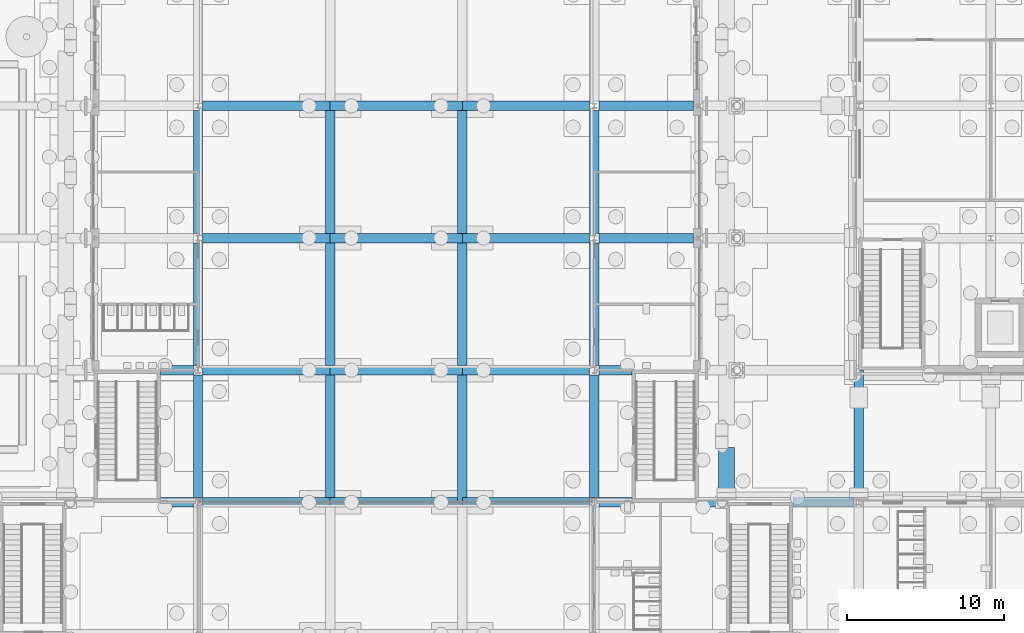
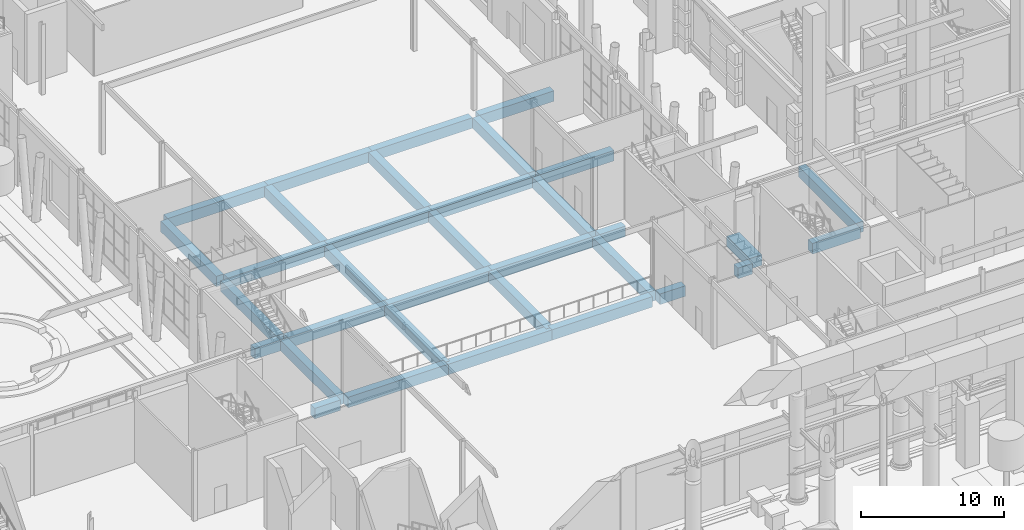
# One storey, part 50 of 222: 34 beams.
"""IFC4 building model written with IfcOpenShell, lengths in metres."""

import ifcopenshell
import ifcopenshell.guid

model = None  # the IFC model being written
_history = None  # IfcOwnerHistory: only IFC2X3 demands one
_inside = {}  # id of a spatial element -> (the spatial element, [elements in it])
_under = {}  # id of a project, library or spatial element -> (it, [spatial elements below it])
_declared = {}  # id of a project -> (the project, [libraries it declares])
_typed = {}  # id of a type object -> (the type object, [elements of that type])
_made_of = {}  # id of a material, layer set ... -> (it, [elements and type objects made of it])


def new_model(schema):
    """Start an empty IFC model of exactly this schema.

    Asked for "IFC4X3", IfcOpenShell would pick the latest addendum, in which some entities
    have other attributes; the version numbers below select the first issue.
    IFC2X3 requires an IfcOwnerHistory on every rooted entity: one is made here for all.
    """
    global model, _history
    if schema == "IFC4X3":
        model = ifcopenshell.file(schema_version=(4, 3, 0, 0))
    else:
        model = ifcopenshell.file(schema=schema)
    _inside.clear()
    _under.clear()
    _declared.clear()
    _typed.clear()
    _made_of.clear()
    _history = None
    if model.schema == "IFC2X3":
        org = make("IfcOrganization", Name="unknown")
        user = make(
            "IfcPersonAndOrganization",
            ThePerson=make("IfcPerson", FamilyName="unknown"),
            TheOrganization=org,
        )
        app = make(
            "IfcApplication",
            ApplicationDeveloper=org,
            Version="unknown",
            ApplicationFullName="unknown",
            ApplicationIdentifier="unknown",
        )
        _history = make(
            "IfcOwnerHistory",
            OwningUser=user,
            OwningApplication=app,
            ChangeAction="ADDED",
            CreationDate=0,
        )
    return model


def make(cls, **values):
    """One entity of the class cls with the attributes given. An attribute that is None is left unset."""
    return model.create_entity(
        cls, **{name: value for name, value in values.items() if value is not None}
    )


def rooted(cls, **values):
    """An entity with a GlobalId (a new one), such as an element, a storey or a relation."""
    return make(cls, GlobalId=ifcopenshell.guid.new(), OwnerHistory=_history, **values)


def si_unit(unit_type, name, prefix=None):
    """IfcSIUnit, for example si_unit("LENGTHUNIT", "METRE", prefix="MILLI")."""
    return make("IfcSIUnit", UnitType=unit_type, Prefix=prefix, Name=name)


def assignment(units):
    """IfcUnitAssignment: the units of a project."""
    return None if units is None else make("IfcUnitAssignment", Units=units)


def point(xyz):
    """IfcCartesianPoint."""
    return None if xyz is None else make("IfcCartesianPoint", Coordinates=xyz)


def direction(xyz):
    """IfcDirection."""
    return None if xyz is None else make("IfcDirection", DirectionRatios=xyz)


def frame(location, z_axis=None, x_axis=None):
    """IfcAxis2Placement3D, a coordinate frame: its origin and axes. An axis left out is left unset."""
    return make(
        "IfcAxis2Placement3D",
        Location=point(location),
        Axis=direction(z_axis),
        RefDirection=direction(x_axis),
    )


def frame_2d(location, x_axis=None):
    """IfcAxis2Placement2D, a coordinate frame in the plane: its origin and x axis."""
    return make(
        "IfcAxis2Placement2D", Location=point(location), RefDirection=direction(x_axis)
    )


def origin():
    """The frame at (0, 0, 0) with its axes left unset."""
    return frame((0.0, 0.0, 0.0))


def origin_2d():
    """The frame at (0, 0) in the plane with its x axis left unset."""
    return frame_2d((0.0, 0.0))


def place(relative_to, where):
    """IfcLocalPlacement: puts the frame where relative to a parent placement (None: the world)."""
    return make(
        "IfcLocalPlacement", PlacementRelTo=relative_to, RelativePlacement=where
    )


def context(
    kind, dimensions, precision=None, world=None, true_north=None, identifier=None
):
    """IfcGeometricRepresentationContext, for example the 3D "Model" context."""
    return make(
        "IfcGeometricRepresentationContext",
        ContextIdentifier=identifier,
        ContextType=kind,
        CoordinateSpaceDimension=dimensions,
        Precision=precision,
        WorldCoordinateSystem=world,
        TrueNorth=true_north,
    )


def subcontext(parent, identifier, kind, view, scale=None):
    """IfcGeometricRepresentationSubContext, for example "Body" below "Model"."""
    return make(
        "IfcGeometricRepresentationSubContext",
        ContextIdentifier=identifier,
        ContextType=kind,
        ParentContext=parent,
        TargetScale=scale,
        TargetView=view,
    )


def project(units=None, contexts=None):
    """IfcProject with its units and contexts."""
    return rooted(
        "IfcProject",
        Name="project",
        RepresentationContexts=contexts,
        UnitsInContext=assignment(units),
    )


def spatial(cls, under=None, at=None, **own):
    """A site, building, storey or space (cls), placed at a placement, below another one or the project."""
    s = rooted(cls, ObjectPlacement=at, **own)
    if under is not None:
        _under.setdefault(under.id(), (under, []))[1].append(s)
    return s


def profile(cls, at=None, kind="AREA", **sizes):
    """A parametric profile (cls). Its sizes go by their IFC names, for example OverallWidth=200.0."""
    return make(cls, ProfileType=kind, Position=at, **sizes)


def rectangle(**sizes):
    """IfcRectangleProfileDef."""
    return profile("IfcRectangleProfileDef", **sizes)


def extrude(swept, where, along, depth):
    """IfcExtrudedAreaSolid: the profile swept, set in the frame where, extruded along a direction by depth."""
    return make(
        "IfcExtrudedAreaSolid",
        SweptArea=swept,
        Position=where,
        ExtrudedDirection=direction(along),
        Depth=depth,
    )


def shape(context_of_items, identifier, shape_type, items):
    """IfcShapeRepresentation: the items that make up one representation, for example the "Body"."""
    return make(
        "IfcShapeRepresentation",
        ContextOfItems=context_of_items,
        RepresentationIdentifier=identifier,
        RepresentationType=shape_type,
        Items=items,
    )


def material(Name=None, Category=None):
    """IfcMaterial."""
    return make("IfcMaterial", Name=Name, Category=Category)


def material_profile(
    of_material, cross_section, Name=None, Category=None, Priority=None
):
    """IfcMaterialProfile: a cross section and its material."""
    return make(
        "IfcMaterialProfile",
        Name=Name,
        Material=of_material,
        Profile=cross_section,
        Priority=Priority,
        Category=Category,
    )


def profile_set(profiles, Name=None, composite=None):
    """IfcMaterialProfileSet."""
    return make(
        "IfcMaterialProfileSet",
        Name=Name,
        MaterialProfiles=profiles,
        CompositeProfile=composite,
    )


def made_of(thing, what):
    """Note that an element or type object is made of a material, layer set ...; save() writes the relation."""
    if what is not None:
        _made_of.setdefault(what.id(), (what, []))[1].append(thing)
    return thing


def type_object(cls, material=None, **own):
    """A type object (cls), such as IfcWallType, which elements share."""
    return made_of(rooted(cls, **own), material)


def element(
    cls,
    number,
    at=None,
    inside=None,
    cuts=None,
    type_object=None,
    material=None,
    context=None,
    identifier="Body",
    shape_type=None,
    held_by="IfcProductDefinitionShape",
    body=None,
    shapes=None,
    **own,
):
    """One element of the class cls, such as IfcWall. Its Tag is "e" and its number.

    at: its placement. inside: the storey or other place that contains it. cuts: it is an
    opening in that element (IfcRelVoidsElement). A single representation is given by context,
    identifier, shape_type and body (its items); several are given by shapes. held_by: the class
    of the entity that holds the representations. save() writes the other relations.
    """
    e = rooted(cls, Tag="e%d" % number, ObjectPlacement=at, **own)
    if body is not None:
        shapes = [shape(context, identifier, shape_type, body)]
    if shapes is not None:
        e.Representation = make(held_by, Representations=shapes)
    if inside is not None:
        _inside.setdefault(inside.id(), (inside, []))[1].append(e)
    if cuts is not None:
        rooted(
            "IfcRelVoidsElement", RelatingBuildingElement=cuts, RelatedOpeningElement=e
        )
    if type_object is not None:
        _typed.setdefault(type_object.id(), (type_object, []))[1].append(e)
    return made_of(e, material)


def aggregate(whole, parts):
    """IfcRelAggregates: a whole, such as a stair, and the parts it consists of."""
    return rooted("IfcRelAggregates", RelatingObject=whole, RelatedObjects=parts)


def save(model, path):
    """Write the relations noted so far, then the file.

    IfcRelAggregates (storeys below a building ...), IfcRelContainedInSpatialStructure (elements
    in a storey), IfcRelDefinesByType, IfcRelAssociatesMaterial and IfcRelDeclares: one each for
    every whole, place, type object, material and project.
    """
    for whole, parts in _under.values():
        aggregate(whole, parts)
    for where, things in _inside.values():
        rooted(
            "IfcRelContainedInSpatialStructure",
            RelatedElements=things,
            RelatingStructure=where,
        )
    for kind, things in _typed.values():
        rooted("IfcRelDefinesByType", RelatedObjects=things, RelatingType=kind)
    for what, things in _made_of.values():
        rooted("IfcRelAssociatesMaterial", RelatedObjects=things, RelatingMaterial=what)
    for by, libraries in _declared.values():
        rooted("IfcRelDeclares", RelatingContext=by, RelatedDefinitions=libraries)
    model.write(path)


model = new_model("IFC4")

# Units and contexts
model_context = context("Model", 3, precision=1e-05, world=origin(), true_north=direction((0.0, 1.0)))
body_context = subcontext(model_context, "Body", "Model", "MODEL_VIEW")
ifc_project = project(units=[si_unit("LENGTHUNIT", "METRE"), si_unit("AREAUNIT", "SQUARE_METRE"), si_unit("VOLUMEUNIT", "CUBIC_METRE"), si_unit("PLANEANGLEUNIT", "RADIAN"), si_unit("MASSUNIT", "GRAM", prefix="KILO")], contexts=[model_context])

# Site, building, storey
site_placement = place(None, origin())
site = spatial("IfcSite", under=ifc_project, at=site_placement, CompositionType="ELEMENT")
building_placement = place(site_placement, origin())
building = spatial("IfcBuilding", under=site, at=building_placement, Name="Sava Quay Ferry Terminal", CompositionType="ELEMENT")
storey_placement = place(building_placement, origin())
storey = spatial("IfcBuildingStorey", under=building, at=storey_placement, Name="L00", CompositionType="ELEMENT", Elevation=0.0)

# Beams
ifc_material_1 = material(Name="Concrete C40/50", Category="concrete")
ifc_material_profile_1 = material_profile(ifc_material_1, rectangle(XDim=1.0, YDim=0.89990234375, at=origin_2d()), Name="RC 1000x900")
ifc_profile_set_1 = profile_set([ifc_material_profile_1], Name="Concrete C40/50")
beam_type_1 = type_object("IfcBeamType", Name="RC deck beam 1000x900", PredefinedType="BEAM", material=ifc_profile_set_1)
beam_1_placement = place(storey_placement, frame((84.0, 50.699951171875, -0.89990234375), z_axis=(0.0, 1.0, 0.0), x_axis=(-1.0, 0.0, 0.0)))
element("IfcBeam", 1, at=beam_1_placement, inside=storey, type_object=beam_type_1, Name="Deck beam Y84-50.4", PredefinedType="BEAM", context=body_context, shape_type="SweptSolid", body=[
    extrude(rectangle(XDim=1.0, YDim=0.89990234375, at=origin_2d()), origin(), (0.0, 0.0, 1.0), 3.199951171875),
])
ifc_material_2 = material(Name="Concrete C40/50", Category="concrete")
ifc_material_profile_2 = material_profile(ifc_material_2, rectangle(XDim=0.60009765625, YDim=0.89990234375, at=origin_2d()), Name="RC 600x900")
ifc_profile_set_2 = profile_set([ifc_material_profile_2], Name="Concrete C40/50")
beam_type_2 = type_object("IfcBeamType", Name="RC deck beam 600x900", PredefinedType="BEAM", material=ifc_profile_set_2)
beam_2_placement = place(storey_placement, frame((48.02001953125, 50.39990234375, -0.89990234375), z_axis=(1.0, 0.0, 0.0), x_axis=(0.0, 1.0, 0.0)))
element("IfcBeam", 2, at=beam_2_placement, inside=storey, type_object=beam_type_2, Name="Deck beam X50.4-42", PredefinedType="BEAM", context=body_context, shape_type="SweptSolid", body=[
    extrude(rectangle(XDim=0.60009765625, YDim=0.89990234375, at=origin_2d()), origin(), (0.0, 0.0, 1.0), 2.080078125),
])
beam_3_placement = place(storey_placement, frame((50.699951171875, 50.39990234375, -0.89990234375), z_axis=(1.0, 0.0, 0.0), x_axis=(0.0, 1.0, 0.0)))
element("IfcBeam", 3, at=beam_3_placement, inside=storey, type_object=beam_type_2, Name="Deck beam X50.4-50.4", PredefinedType="BEAM", context=body_context, shape_type="SweptSolid", body=[
    extrude(rectangle(XDim=0.60009765625, YDim=0.89990234375, at=origin_2d()), origin(), (0.0, 0.0, 1.0), 8.10009765625),
])
beam_4_placement = place(storey_placement, frame((58.800048828125, 50.39990234375, -0.89990234375), z_axis=(1.0, 0.0, 0.0), x_axis=(0.0, 1.0, 0.0)))
element("IfcBeam", 4, at=beam_4_placement, inside=storey, type_object=beam_type_2, Name="Deck beam X50.4-58.8", PredefinedType="BEAM", context=body_context, shape_type="SweptSolid", body=[
    extrude(rectangle(XDim=0.60009765625, YDim=0.89990234375, at=origin_2d()), origin(), (0.0, 0.0, 1.0), 8.39990234375),
])
beam_5_placement = place(storey_placement, frame((67.199951171875, 50.39990234375, -0.89990234375), z_axis=(1.0, 0.0, 0.0), x_axis=(0.0, 1.0, 0.0)))
element("IfcBeam", 5, at=beam_5_placement, inside=storey, type_object=beam_type_2, Name="Deck beam X50.4-67.2", PredefinedType="BEAM", context=body_context, shape_type="SweptSolid", body=[
    extrude(rectangle(XDim=0.60009765625, YDim=0.89990234375, at=origin_2d()), origin(), (0.0, 0.0, 1.0), 8.10009765625),
])
beam_6_placement = place(storey_placement, frame((75.89990234375, 50.39990234375, -0.89990234375), z_axis=(1.0, 0.0, 0.0), x_axis=(0.0, 1.0, 0.0)))
element("IfcBeam", 6, at=beam_6_placement, inside=storey, type_object=beam_type_2, Name="Deck beam X50.4-75.6", PredefinedType="BEAM", context=body_context, shape_type="SweptSolid", body=[
    extrude(rectangle(XDim=0.60009765625, YDim=0.89990234375, at=origin_2d()), origin(), (0.0, 0.0, 1.0), 2.080078125),
])
beam_7_placement = place(storey_placement, frame((82.219970703125, 50.39990234375, -0.89990234375), z_axis=(1.0, 0.0, 0.0), x_axis=(0.0, 1.0, 0.0)))
element("IfcBeam", 7, at=beam_7_placement, inside=storey, type_object=beam_type_2, Name="Deck beam X50.4-75.6", PredefinedType="BEAM", context=body_context, shape_type="SweptSolid", body=[
    extrude(rectangle(XDim=0.60009765625, YDim=0.89990234375, at=origin_2d()), origin(), (0.0, 0.0, 1.0), 1.179931640625),
])
beam_8_placement = place(storey_placement, frame((88.219970703125, 50.39990234375, -0.89990234375), z_axis=(1.0, 0.0, 0.0), x_axis=(0.0, 1.0, 0.0)))
element("IfcBeam", 8, at=beam_8_placement, inside=storey, type_object=beam_type_2, Name="Deck beam X50.4-84", PredefinedType="BEAM", context=body_context, shape_type="SweptSolid", body=[
    extrude(rectangle(XDim=0.60009765625, YDim=0.89990234375, at=origin_2d()), origin(), (0.0, 0.0, 1.0), 3.880126953125),
])
beam_9_placement = place(storey_placement, frame((48.02001953125, 58.800048828125, -0.89990234375), z_axis=(1.0, 0.0, 0.0), x_axis=(0.0, 1.0, 0.0)))
element("IfcBeam", 9, at=beam_9_placement, inside=storey, type_object=beam_type_2, Name="Deck beam X58.8-42", PredefinedType="BEAM", context=body_context, shape_type="SweptSolid", body=[
    extrude(rectangle(XDim=0.60009765625, YDim=0.89990234375, at=origin_2d()), origin(), (0.0, 0.0, 1.0), 2.080078125),
])
beam_10_placement = place(storey_placement, frame((50.699951171875, 58.800048828125, -0.89990234375), z_axis=(1.0, 0.0, 0.0), x_axis=(0.0, 1.0, 0.0)))
element("IfcBeam", 10, at=beam_10_placement, inside=storey, type_object=beam_type_2, Name="Deck beam X58.8-50.4", PredefinedType="BEAM", context=body_context, shape_type="SweptSolid", body=[
    extrude(rectangle(XDim=0.60009765625, YDim=0.89990234375, at=origin_2d()), origin(), (0.0, 0.0, 1.0), 8.10009765625),
])
beam_11_placement = place(storey_placement, frame((58.800048828125, 58.800048828125, -0.89990234375), z_axis=(1.0, 0.0, 0.0), x_axis=(0.0, 1.0, 0.0)))
element("IfcBeam", 11, at=beam_11_placement, inside=storey, type_object=beam_type_2, Name="Deck beam X58.8-58.8", PredefinedType="BEAM", context=body_context, shape_type="SweptSolid", body=[
    extrude(rectangle(XDim=0.60009765625, YDim=0.89990234375, at=origin_2d()), origin(), (0.0, 0.0, 1.0), 8.39990234375),
])
beam_12_placement = place(storey_placement, frame((67.199951171875, 58.800048828125, -0.89990234375), z_axis=(1.0, 0.0, 0.0), x_axis=(0.0, 1.0, 0.0)))
element("IfcBeam", 12, at=beam_12_placement, inside=storey, type_object=beam_type_2, Name="Deck beam X58.8-67.2", PredefinedType="BEAM", context=body_context, shape_type="SweptSolid", body=[
    extrude(rectangle(XDim=0.60009765625, YDim=0.89990234375, at=origin_2d()), origin(), (0.0, 0.0, 1.0), 8.10009765625),
])
beam_13_placement = place(storey_placement, frame((75.89990234375, 58.800048828125, -0.89990234375), z_axis=(1.0, 0.0, 0.0), x_axis=(0.0, 1.0, 0.0)))
element("IfcBeam", 13, at=beam_13_placement, inside=storey, type_object=beam_type_2, Name="Deck beam X58.8-75.6", PredefinedType="BEAM", context=body_context, shape_type="SweptSolid", body=[
    extrude(rectangle(XDim=0.60009765625, YDim=0.89990234375, at=origin_2d()), origin(), (0.0, 0.0, 1.0), 2.080078125),
])
beam_14_placement = place(storey_placement, frame((50.699951171875, 67.199951171875, -0.89990234375), z_axis=(1.0, 0.0, 0.0), x_axis=(0.0, 1.0, 0.0)))
element("IfcBeam", 14, at=beam_14_placement, inside=storey, type_object=beam_type_2, Name="Deck beam X67.2-50.4", PredefinedType="BEAM", context=body_context, shape_type="SweptSolid", body=[
    extrude(rectangle(XDim=0.60009765625, YDim=0.89990234375, at=origin_2d()), origin(), (0.0, 0.0, 1.0), 8.10009765625),
])
beam_15_placement = place(storey_placement, frame((58.800048828125, 67.199951171875, -0.89990234375), z_axis=(1.0, 0.0, 0.0), x_axis=(0.0, 1.0, 0.0)))
element("IfcBeam", 15, at=beam_15_placement, inside=storey, type_object=beam_type_2, Name="Deck beam X67.2-58.8", PredefinedType="BEAM", context=body_context, shape_type="SweptSolid", body=[
    extrude(rectangle(XDim=0.60009765625, YDim=0.89990234375, at=origin_2d()), origin(), (0.0, 0.0, 1.0), 8.39990234375),
])
beam_16_placement = place(storey_placement, frame((67.199951171875, 67.199951171875, -0.89990234375), z_axis=(1.0, 0.0, 0.0), x_axis=(0.0, 1.0, 0.0)))
element("IfcBeam", 16, at=beam_16_placement, inside=storey, type_object=beam_type_2, Name="Deck beam X67.2-67.2", PredefinedType="BEAM", context=body_context, shape_type="SweptSolid", body=[
    extrude(rectangle(XDim=0.60009765625, YDim=0.89990234375, at=origin_2d()), origin(), (0.0, 0.0, 1.0), 8.10009765625),
])
beam_17_placement = place(storey_placement, frame((75.89990234375, 67.199951171875, -0.89990234375), z_axis=(1.0, 0.0, 0.0), x_axis=(0.0, 1.0, 0.0)))
element("IfcBeam", 17, at=beam_17_placement, inside=storey, type_object=beam_type_2, Name="Deck beam X67.2-75.6", PredefinedType="BEAM", context=body_context, shape_type="SweptSolid", body=[
    extrude(rectangle(XDim=0.60009765625, YDim=0.89990234375, at=origin_2d()), origin(), (0.0, 0.0, 1.0), 6.0),
])
beam_18_placement = place(storey_placement, frame((50.699951171875, 75.60009765625, -0.89990234375), z_axis=(1.0, 0.0, 0.0), x_axis=(0.0, 1.0, 0.0)))
element("IfcBeam", 18, at=beam_18_placement, inside=storey, type_object=beam_type_2, Name="Deck beam X75.6-50.4", PredefinedType="BEAM", context=body_context, shape_type="SweptSolid", body=[
    extrude(rectangle(XDim=0.60009765625, YDim=0.89990234375, at=origin_2d()), origin(), (0.0, 0.0, 1.0), 8.10009765625),
])
beam_19_placement = place(storey_placement, frame((58.800048828125, 75.60009765625, -0.89990234375), z_axis=(1.0, 0.0, 0.0), x_axis=(0.0, 1.0, 0.0)))
element("IfcBeam", 19, at=beam_19_placement, inside=storey, type_object=beam_type_2, Name="Deck beam X75.6-58.8", PredefinedType="BEAM", context=body_context, shape_type="SweptSolid", body=[
    extrude(rectangle(XDim=0.60009765625, YDim=0.89990234375, at=origin_2d()), origin(), (0.0, 0.0, 1.0), 8.39990234375),
])
beam_20_placement = place(storey_placement, frame((67.199951171875, 75.60009765625, -0.89990234375), z_axis=(1.0, 0.0, 0.0), x_axis=(0.0, 1.0, 0.0)))
element("IfcBeam", 20, at=beam_20_placement, inside=storey, type_object=beam_type_2, Name="Deck beam X75.6-67.2", PredefinedType="BEAM", context=body_context, shape_type="SweptSolid", body=[
    extrude(rectangle(XDim=0.60009765625, YDim=0.89990234375, at=origin_2d()), origin(), (0.0, 0.0, 1.0), 8.10009765625),
])
beam_21_placement = place(storey_placement, frame((75.89990234375, 75.60009765625, -0.89990234375), z_axis=(1.0, 0.0, 0.0), x_axis=(0.0, 1.0, 0.0)))
element("IfcBeam", 21, at=beam_21_placement, inside=storey, type_object=beam_type_2, Name="Deck beam X75.6-75.6", PredefinedType="BEAM", context=body_context, shape_type="SweptSolid", body=[
    extrude(rectangle(XDim=0.60009765625, YDim=0.89990234375, at=origin_2d()), origin(), (0.0, 0.0, 1.0), 6.0),
])
beam_22_placement = place(storey_placement, frame((50.39990234375, 50.699951171875, -0.89990234375), z_axis=(0.0, 1.0, 0.0), x_axis=(-1.0, 0.0, 0.0)))
element("IfcBeam", 22, at=beam_22_placement, inside=storey, type_object=beam_type_2, Name="Deck beam Y50.4-50.4", PredefinedType="BEAM", context=body_context, shape_type="SweptSolid", body=[
    extrude(rectangle(XDim=0.60009765625, YDim=0.89990234375, at=origin_2d()), origin(), (0.0, 0.0, 1.0), 7.800048828125),
])
beam_23_placement = place(storey_placement, frame((50.39990234375, 59.10009765625, -0.89990234375), z_axis=(0.0, 1.0, 0.0), x_axis=(-1.0, 0.0, 0.0)))
element("IfcBeam", 23, at=beam_23_placement, inside=storey, type_object=beam_type_2, Name="Deck beam Y50.4-58.8", PredefinedType="BEAM", context=body_context, shape_type="SweptSolid", body=[
    extrude(rectangle(XDim=0.60009765625, YDim=0.89990234375, at=origin_2d()), origin(), (0.0, 0.0, 1.0), 7.7998046875),
])
beam_24_placement = place(storey_placement, frame((50.39990234375, 67.5, -0.89990234375), z_axis=(0.0, 1.0, 0.0), x_axis=(-1.0, 0.0, 0.0)))
element("IfcBeam", 24, at=beam_24_placement, inside=storey, type_object=beam_type_2, Name="Deck beam Y50.4-67.2", PredefinedType="BEAM", context=body_context, shape_type="SweptSolid", body=[
    extrude(rectangle(XDim=0.60009765625, YDim=0.89990234375, at=origin_2d()), origin(), (0.0, 0.0, 1.0), 7.800048828125),
])
beam_25_placement = place(storey_placement, frame((58.800048828125, 50.39990234375, -0.89990234375), z_axis=(0.0, 1.0, 0.0), x_axis=(-1.0, 0.0, 0.0)))
element("IfcBeam", 25, at=beam_25_placement, inside=storey, type_object=beam_type_2, Name="Deck beam Y58.8-50.4", PredefinedType="BEAM", context=body_context, shape_type="SweptSolid", body=[
    extrude(rectangle(XDim=0.60009765625, YDim=0.89990234375, at=origin_2d()), origin(), (0.0, 0.0, 1.0), 8.400146484375),
])
beam_26_placement = place(storey_placement, frame((58.800048828125, 58.800048828125, -0.89990234375), z_axis=(0.0, 1.0, 0.0), x_axis=(-1.0, 0.0, 0.0)))
element("IfcBeam", 26, at=beam_26_placement, inside=storey, type_object=beam_type_2, Name="Deck beam Y58.8-58.8", PredefinedType="BEAM", context=body_context, shape_type="SweptSolid", body=[
    extrude(rectangle(XDim=0.60009765625, YDim=0.89990234375, at=origin_2d()), origin(), (0.0, 0.0, 1.0), 8.39990234375),
])
for number, where, z_axis, x_axis, name in (
    (27, (58.800048828125, 67.199951171875, -0.89990234375), (0.0, 1.0, 0.0), (-1.0, 0.0, 0.0), "Deck beam Y58.8-67.2"),
    (28, (67.199951171875, 50.39990234375, -0.89990234375), (0.0, 1.0, 0.0), (-1.0, 0.0, 0.0), "Deck beam Y67.2-50.4"),
):
    element("IfcBeam", number, at=place(storey_placement, frame(where, z_axis=z_axis, x_axis=x_axis)), inside=storey, type_object=beam_type_2, Name=name, PredefinedType="BEAM", context=body_context, shape_type="SweptSolid", body=[
        extrude(rectangle(XDim=0.60009765625, YDim=0.89990234375, at=origin_2d()), origin(), (0.0, 0.0, 1.0), 8.400146484375),
    ])
beam_27_placement = place(storey_placement, frame((67.199951171875, 58.800048828125, -0.89990234375), z_axis=(0.0, 1.0, 0.0), x_axis=(-1.0, 0.0, 0.0)))
element("IfcBeam", 29, at=beam_27_placement, inside=storey, type_object=beam_type_2, Name="Deck beam Y67.2-58.8", PredefinedType="BEAM", context=body_context, shape_type="SweptSolid", body=[
    extrude(rectangle(XDim=0.60009765625, YDim=0.89990234375, at=origin_2d()), origin(), (0.0, 0.0, 1.0), 8.39990234375),
])
beam_28_placement = place(storey_placement, frame((67.199951171875, 67.199951171875, -0.89990234375), z_axis=(0.0, 1.0, 0.0), x_axis=(-1.0, 0.0, 0.0)))
element("IfcBeam", 30, at=beam_28_placement, inside=storey, type_object=beam_type_2, Name="Deck beam Y67.2-67.2", PredefinedType="BEAM", context=body_context, shape_type="SweptSolid", body=[
    extrude(rectangle(XDim=0.60009765625, YDim=0.89990234375, at=origin_2d()), origin(), (0.0, 0.0, 1.0), 8.400146484375),
])
beam_29_placement = place(storey_placement, frame((75.60009765625, 50.699951171875, -0.89990234375), z_axis=(0.0, 1.0, 0.0), x_axis=(-1.0, 0.0, 0.0)))
element("IfcBeam", 31, at=beam_29_placement, inside=storey, type_object=beam_type_2, Name="Deck beam Y75.6-50.4", PredefinedType="BEAM", context=body_context, shape_type="SweptSolid", body=[
    extrude(rectangle(XDim=0.60009765625, YDim=0.89990234375, at=origin_2d()), origin(), (0.0, 0.0, 1.0), 7.800048828125),
])
beam_30_placement = place(storey_placement, frame((75.60009765625, 59.10009765625, -0.89990234375), z_axis=(0.0, 1.0, 0.0), x_axis=(-1.0, 0.0, 0.0)))
element("IfcBeam", 32, at=beam_30_placement, inside=storey, type_object=beam_type_2, Name="Deck beam Y75.6-58.8", PredefinedType="BEAM", context=body_context, shape_type="SweptSolid", body=[
    extrude(rectangle(XDim=0.60009765625, YDim=0.89990234375, at=origin_2d()), origin(), (0.0, 0.0, 1.0), 7.7998046875),
])
beam_31_placement = place(storey_placement, frame((75.60009765625, 67.5, -0.89990234375), z_axis=(0.0, 1.0, 0.0), x_axis=(-1.0, 0.0, 0.0)))
element("IfcBeam", 33, at=beam_31_placement, inside=storey, type_object=beam_type_2, Name="Deck beam Y75.6-67.2", PredefinedType="BEAM", context=body_context, shape_type="SweptSolid", body=[
    extrude(rectangle(XDim=0.60009765625, YDim=0.89990234375, at=origin_2d()), origin(), (0.0, 0.0, 1.0), 7.800048828125),
])
beam_32_placement = place(storey_placement, frame((92.39990234375, 50.699951171875, -0.89990234375), z_axis=(0.0, 1.0, 0.0), x_axis=(-1.0, 0.0, 0.0)))
element("IfcBeam", 34, at=beam_32_placement, inside=storey, type_object=beam_type_2, Name="Deck beam Y92.4-50.4", PredefinedType="BEAM", context=body_context, shape_type="SweptSolid", body=[
    extrude(rectangle(XDim=0.60009765625, YDim=0.89990234375, at=origin_2d()), origin(), (0.0, 0.0, 1.0), 8.080078125),
])

save(model, "model.ifc")
